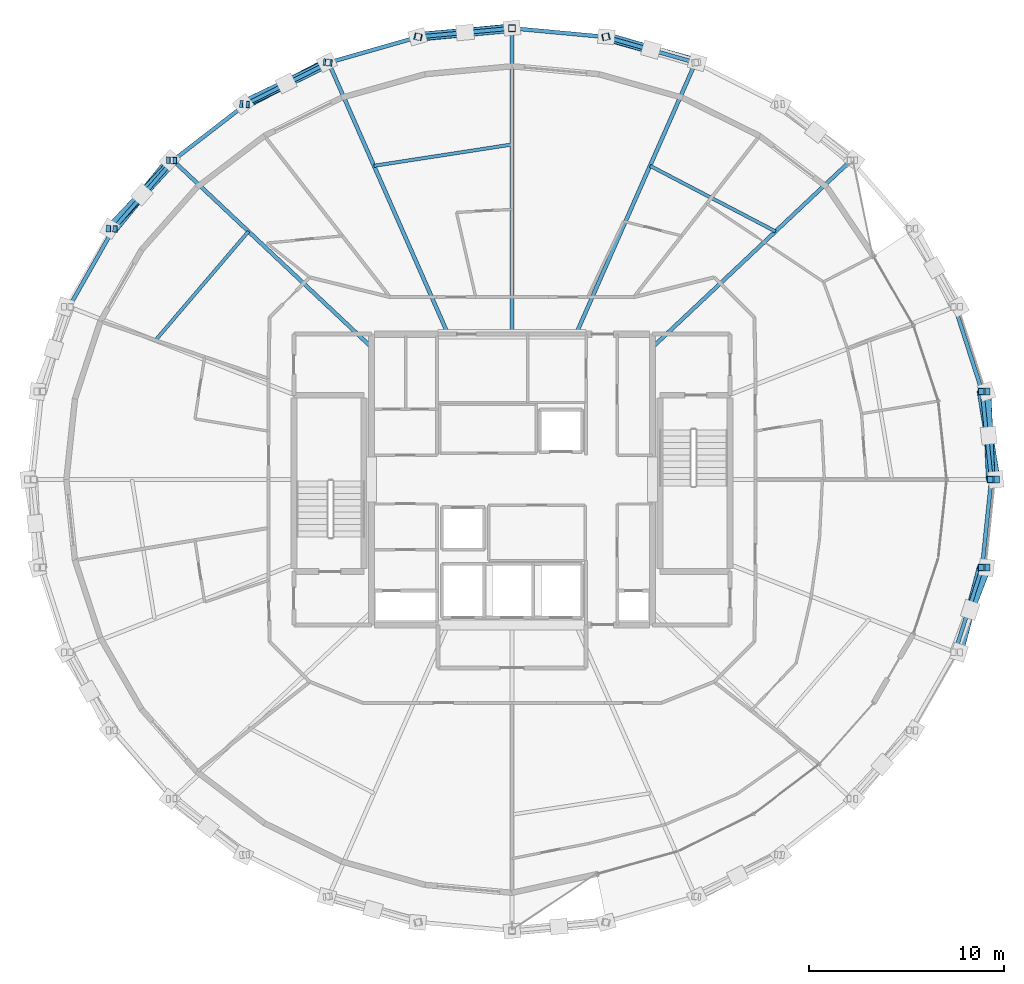
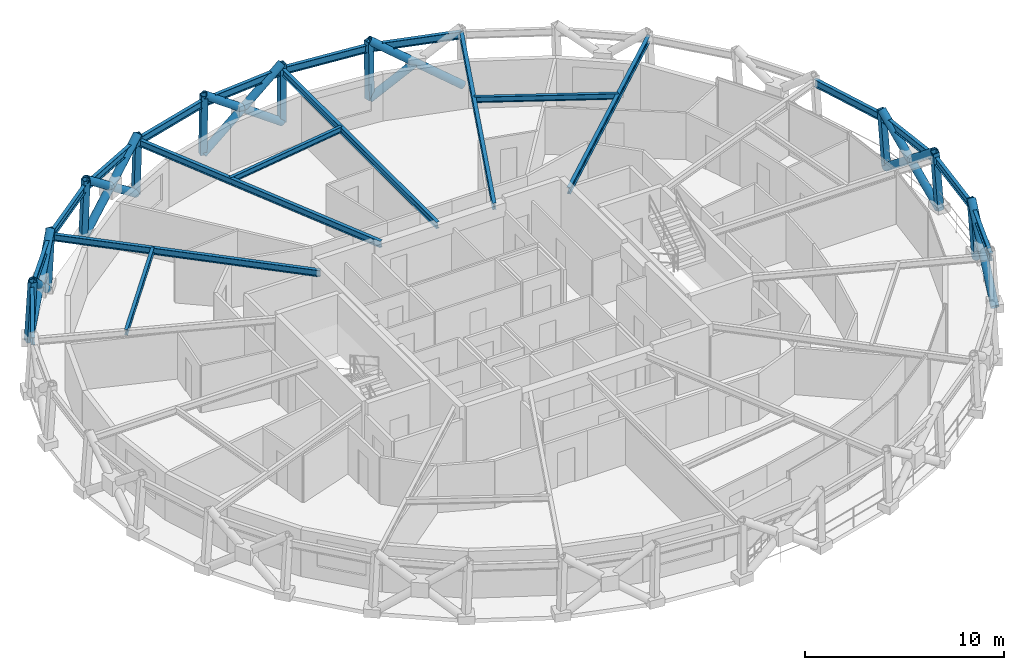
# One storey, part 9 of 17: 26 members, 20 beams.
"""IFC4 building model written with IfcOpenShell, lengths in metres."""

from ifc_helpers import new_model, si_unit, direction, frame, origin, origin_2d, place, context, subcontext, project, spatial, hollow_rectangle, hollow_circle, i_section, extrude, material, material_profile, profile_set, type_object, element, save


model = new_model("IFC4")

# Units and contexts
model_context = context("Model", 3, precision=1e-05, world=origin(), true_north=direction((0.0, 1.0)))
body_context = subcontext(model_context, "Body", "Model", "MODEL_VIEW")
ifc_project = project(units=[si_unit("LENGTHUNIT", "METRE"), si_unit("AREAUNIT", "SQUARE_METRE"), si_unit("VOLUMEUNIT", "CUBIC_METRE"), si_unit("PLANEANGLEUNIT", "RADIAN"), si_unit("MASSUNIT", "GRAM", prefix="KILO")], contexts=[model_context])

# Site, building, storey
site_placement = place(None, origin())
site = spatial("IfcSite", under=ifc_project, at=site_placement, CompositionType="ELEMENT")
building_placement = place(site_placement, origin())
building = spatial("IfcBuilding", under=site, at=building_placement, Name="Veldorina Hangang Commons", CompositionType="ELEMENT")
storey_placement = place(building_placement, frame((0.0, 0.0, 225.60009765625)))
storey = spatial("IfcBuildingStorey", under=building, at=storey_placement, Name="L58", CompositionType="ELEMENT", Elevation=225.60009765625)

# Beams
ifc_material = material(Name="Steel SM355-TMC", Category="steel")
ifc_material_profile_1 = material_profile(ifc_material, i_section(OverallWidth=0.199951171875, OverallDepth=0.39990234375, WebThickness=0.008056640625, FlangeThickness=0.012939453125, FilletRadius=0.012939453125, at=origin_2d()), Name="H-400x200x8x13")
ifc_profile_set_1 = profile_set([ifc_material_profile_1], Name="Steel SM355-TMC")
beam_type_1 = type_object("IfcBeamType", Name="BM-FG400", PredefinedType="BEAM", material=ifc_profile_set_1)
beam_1_placement = place(storey_placement, frame((39.199951171875, 30.779052734375, 3.159912109375), z_axis=(0.728077889465, 0.685494410533, 0.0), x_axis=(-0.685494410533, 0.728077889465, 0.0)))
element("IfcBeam", 1, at=beam_1_placement, inside=storey, type_object=beam_type_1, Name="L58 radial floor girder 03", PredefinedType="BEAM", context=body_context, shape_type="SweptSolid", body=[
    extrude(i_section(OverallWidth=0.199951171875, OverallDepth=0.39990234375, WebThickness=0.008056640625, FlangeThickness=0.012939453125, FilletRadius=0.012939453125, at=origin_2d()), origin(), (0.0, 0.0, 1.0), 13.971923828125),
])
beam_2_placement = place(storey_placement, frame((35.277587890625, 31.449951171875, 3.159912109375), z_axis=(0.402695039445, 0.915334204106, 0.0), x_axis=(-0.915334204106, 0.402695039445, 0.0)))
element("IfcBeam", 2, at=beam_2_placement, inside=storey, type_object=beam_type_1, Name="L58 radial floor girder 04", PredefinedType="BEAM", context=body_context, shape_type="SweptSolid", body=[
    extrude(i_section(OverallWidth=0.199951171875, OverallDepth=0.39990234375, WebThickness=0.008056640625, FlangeThickness=0.012939453125, FilletRadius=0.012939453125, at=origin_2d()), origin(), (0.0, 0.0, 1.0), 15.208740234375),
])
beam_3_placement = place(storey_placement, frame((32.0, 31.449951171875, 3.159912109375), z_axis=(0.0, 1.0, 0.0), x_axis=(-1.0, 0.0, 0.0)))
element("IfcBeam", 3, at=beam_3_placement, inside=storey, type_object=beam_type_1, Name="L58 radial floor girder 05", PredefinedType="BEAM", context=body_context, shape_type="SweptSolid", body=[
    extrude(i_section(OverallWidth=0.199951171875, OverallDepth=0.39990234375, WebThickness=0.008056640625, FlangeThickness=0.012939453125, FilletRadius=0.012939453125, at=origin_2d()), origin(), (0.0, 0.0, 1.0), 15.681884765625),
])
beam_4_placement = place(storey_placement, frame((28.722412109375, 31.449951171875, 3.159912109375), z_axis=(-0.402695039445, 0.915334204106, 0.0), x_axis=(-0.915334204106, -0.402695039445, 0.0)))
element("IfcBeam", 4, at=beam_4_placement, inside=storey, type_object=beam_type_1, Name="L58 radial floor girder 06", PredefinedType="BEAM", context=body_context, shape_type="SweptSolid", body=[
    extrude(i_section(OverallWidth=0.199951171875, OverallDepth=0.39990234375, WebThickness=0.008056640625, FlangeThickness=0.012939453125, FilletRadius=0.012939453125, at=origin_2d()), origin(), (0.0, 0.0, 1.0), 15.208740234375),
])
beam_5_placement = place(storey_placement, frame((24.800048828125, 30.779052734375, 3.159912109375), z_axis=(-0.728077889465, 0.685494410533, 0.0), x_axis=(-0.685494410533, -0.728077889465, 0.0)))
element("IfcBeam", 5, at=beam_5_placement, inside=storey, type_object=beam_type_1, Name="L58 radial floor girder 07", PredefinedType="BEAM", context=body_context, shape_type="SweptSolid", body=[
    extrude(i_section(OverallWidth=0.199951171875, OverallDepth=0.39990234375, WebThickness=0.008056640625, FlangeThickness=0.012939453125, FilletRadius=0.012939453125, at=origin_2d()), origin(), (0.0, 0.0, 1.0), 13.971923828125),
])
ifc_material_profile_2 = material_profile(ifc_material, i_section(OverallWidth=0.175048828125, OverallDepth=0.35009765625, WebThickness=0.007080078125, FlangeThickness=0.010986328125, FilletRadius=0.012939453125, at=origin_2d()), Name="H-350x175x7x11")
ifc_profile_set_2 = profile_set([ifc_material_profile_2], Name="Steel SM355-TMC")
beam_type_2 = type_object("IfcBeamType", Name="BM-JST350", PredefinedType="JOIST", material=ifc_profile_set_2)
beam_6_placement = place(storey_placement, frame((45.507080078125, 36.71728515625, 3.184814453125), z_axis=(-0.886146661473, 0.463404892465, 0.0), x_axis=(-0.463404892465, -0.886146661473, 0.0)))
element("IfcBeam", 6, at=beam_6_placement, inside=storey, type_object=beam_type_2, Name="L58 secondary floor joist 03", PredefinedType="JOIST", context=body_context, shape_type="SweptSolid", body=[
    extrude(i_section(OverallWidth=0.175048828125, OverallDepth=0.35009765625, WebThickness=0.007080078125, FlangeThickness=0.010986328125, FilletRadius=0.012939453125, at=origin_2d()), origin(), (0.0, 0.0, 1.0), 7.2587890625),
])
beam_7_placement = place(storey_placement, frame((32.0, 41.1728515625, 3.184814453125), z_axis=(-0.988300619629, -0.152518475084, 0.0), x_axis=(0.152518475084, -0.988300619629, 0.0)))
element("IfcBeam", 7, at=beam_7_placement, inside=storey, type_object=beam_type_2, Name="L58 secondary floor joist 05", PredefinedType="JOIST", context=body_context, shape_type="SweptSolid", body=[
    extrude(i_section(OverallWidth=0.175048828125, OverallDepth=0.35009765625, WebThickness=0.007080078125, FlangeThickness=0.010986328125, FilletRadius=0.012939453125, at=origin_2d()), origin(), (0.0, 0.0, 1.0), 7.158447265625),
])
beam_8_placement = place(storey_placement, frame((18.4931640625, 36.71728515625, 3.184814453125), z_axis=(-0.649707474546, -0.760184318122, 0.0), x_axis=(0.760184318122, -0.649707474546, 0.0)))
element("IfcBeam", 8, at=beam_8_placement, inside=storey, type_object=beam_type_2, Name="L58 secondary floor joist 07", PredefinedType="JOIST", context=body_context, shape_type="SweptSolid", body=[
    extrude(i_section(OverallWidth=0.175048828125, OverallDepth=0.35009765625, WebThickness=0.007080078125, FlangeThickness=0.010986328125, FilletRadius=0.012939453125, at=origin_2d()), origin(), (0.0, 0.0, 1.0), 7.35009765625),
])
ifc_material_profile_3 = material_profile(ifc_material, i_section(OverallWidth=0.199951171875, OverallDepth=0.449951171875, WebThickness=0.009033203125, FlangeThickness=0.013916015625, FilletRadius=0.01611328125, at=origin_2d()), Name="H-450x200x9x14")
ifc_profile_set_3 = profile_set([ifc_material_profile_3], Name="Steel SM355-TMC")
beam_type_3 = type_object("IfcBeamType", Name="BM-RB450", PredefinedType="BEAM", material=ifc_profile_set_3)
beam_9_placement = place(storey_placement, frame((56.568359375, 24.0, 3.135009765625), z_axis=(-0.104009735312, 0.994576279106, 0.0), x_axis=(-0.994576279106, -0.104009735312, 0.0)))
element("IfcBeam", 9, at=beam_9_placement, inside=storey, type_object=beam_type_3, Name="L58 perimeter hoop ring beam 00", PredefinedType="BEAM", context=body_context, shape_type="SweptSolid", body=[
    extrude(i_section(OverallWidth=0.199951171875, OverallDepth=0.449951171875, WebThickness=0.009033203125, FlangeThickness=0.013916015625, FilletRadius=0.01611328125, at=origin_2d()), origin(), (0.0, 0.0, 1.0), 4.537353515625),
])
beam_10_placement = place(storey_placement, frame((56.096435546875, 28.5126953125, 3.135009765625), z_axis=(-0.306669511736, 0.951816059211, 0.0), x_axis=(-0.951816059211, -0.306669511736, 0.0)))
element("IfcBeam", 10, at=beam_10_placement, inside=storey, type_object=beam_type_3, Name="L58 perimeter hoop ring beam 01", PredefinedType="BEAM", context=body_context, shape_type="SweptSolid", body=[
    extrude(i_section(OverallWidth=0.199951171875, OverallDepth=0.449951171875, WebThickness=0.009033203125, FlangeThickness=0.013916015625, FilletRadius=0.01611328125, at=origin_2d()), origin(), (0.0, 0.0, 1.0), 4.559326171875),
])
beam_11_placement = place(storey_placement, frame((41.402099609375, 45.37109375, 3.135009765625), z_axis=(-0.961550850658, 0.274626949878, 0.0), x_axis=(-0.274626949878, -0.961550850658, 0.0)))
element("IfcBeam", 11, at=beam_11_placement, inside=storey, type_object=beam_type_3, Name="L58 perimeter hoop ring beam 06", PredefinedType="BEAM", context=body_context, shape_type="SweptSolid", body=[
    extrude(i_section(OverallWidth=0.199951171875, OverallDepth=0.449951171875, WebThickness=0.009033203125, FlangeThickness=0.013916015625, FilletRadius=0.01611328125, at=origin_2d()), origin(), (0.0, 0.0, 1.0), 4.79345703125),
])
for number, where, z_axis, x_axis, name in (
    (12, (36.79296875, 46.6875, 3.135009765625), (-0.995730320333, 0.09230996246, 0.0), (-0.09230996246, -0.995730320333, 0.0), "L58 perimeter hoop ring beam 07"),
    (13, (32.0, 47.1318359375, 3.135009765625), (-0.995730320333, -0.09230996246, 0.0), (0.09230996246, -0.995730320333, 0.0), "L58 perimeter hoop ring beam 08"),
):
    element("IfcBeam", number, at=place(storey_placement, frame(where, z_axis=z_axis, x_axis=x_axis)), inside=storey, type_object=beam_type_3, Name=name, PredefinedType="BEAM", context=body_context, shape_type="SweptSolid", body=[
        extrude(i_section(OverallWidth=0.199951171875, OverallDepth=0.449951171875, WebThickness=0.009033203125, FlangeThickness=0.013916015625, FilletRadius=0.01611328125, at=origin_2d()), origin(), (0.0, 0.0, 1.0), 4.8134765625),
    ])
beam_12_placement = place(storey_placement, frame((27.20703125, 46.6875, 3.135009765625), z_axis=(-0.961550850658, -0.274626949878, 0.0), x_axis=(0.274626949878, -0.961550850658, 0.0)))
element("IfcBeam", 14, at=beam_12_placement, inside=storey, type_object=beam_type_3, Name="L58 perimeter hoop ring beam 09", PredefinedType="BEAM", context=body_context, shape_type="SweptSolid", body=[
    extrude(i_section(OverallWidth=0.199951171875, OverallDepth=0.449951171875, WebThickness=0.009033203125, FlangeThickness=0.013916015625, FilletRadius=0.01611328125, at=origin_2d()), origin(), (0.0, 0.0, 1.0), 4.79345703125),
])
beam_13_placement = place(storey_placement, frame((22.597900390625, 45.37109375, 3.135009765625), z_axis=(-0.893243145292, -0.449573890911, 0.0), x_axis=(0.449573890911, -0.893243145292, 0.0)))
element("IfcBeam", 15, at=beam_13_placement, inside=storey, type_object=beam_type_3, Name="L58 perimeter hoop ring beam 10", PredefinedType="BEAM", context=body_context, shape_type="SweptSolid", body=[
    extrude(i_section(OverallWidth=0.199951171875, OverallDepth=0.449951171875, WebThickness=0.009033203125, FlangeThickness=0.013916015625, FilletRadius=0.01611328125, at=origin_2d()), origin(), (0.0, 0.0, 1.0), 4.7548828125),
])
beam_14_placement = place(storey_placement, frame((18.3505859375, 43.2333984375, 3.135009765625), z_axis=(-0.791312388502, -0.611412057293, 0.0), x_axis=(0.611412057293, -0.791312388502, 0.0)))
element("IfcBeam", 16, at=beam_14_placement, inside=storey, type_object=beam_type_3, Name="L58 perimeter hoop ring beam 11", PredefinedType="BEAM", context=body_context, shape_type="SweptSolid", body=[
    extrude(i_section(OverallWidth=0.199951171875, OverallDepth=0.449951171875, WebThickness=0.009033203125, FlangeThickness=0.013916015625, FilletRadius=0.01611328125, at=origin_2d()), origin(), (0.0, 0.0, 1.0), 4.705078125),
])
beam_15_placement = place(storey_placement, frame((14.62744140625, 40.356689453125, 3.135009765625), z_axis=(-0.657068652879, -0.753830740554, 0.0), x_axis=(0.753830740554, -0.657068652879, 0.0)))
element("IfcBeam", 17, at=beam_15_placement, inside=storey, type_object=beam_type_3, Name="L58 perimeter hoop ring beam 12", PredefinedType="BEAM", context=body_context, shape_type="SweptSolid", body=[
    extrude(i_section(OverallWidth=0.199951171875, OverallDepth=0.449951171875, WebThickness=0.009033203125, FlangeThickness=0.013916015625, FilletRadius=0.01611328125, at=origin_2d()), origin(), (0.0, 0.0, 1.0), 4.650146484375),
])
beam_16_placement = place(storey_placement, frame((11.572021484375, 36.851318359375, 3.135009765625), z_axis=(-0.493695595954, -0.869634784571, 0.0), x_axis=(0.869634784571, -0.493695595954, 0.0)))
element("IfcBeam", 18, at=beam_16_placement, inside=storey, type_object=beam_type_3, Name="L58 perimeter hoop ring beam 13", PredefinedType="BEAM", context=body_context, shape_type="SweptSolid", body=[
    extrude(i_section(OverallWidth=0.199951171875, OverallDepth=0.449951171875, WebThickness=0.009033203125, FlangeThickness=0.013916015625, FilletRadius=0.01611328125, at=origin_2d()), origin(), (0.0, 0.0, 1.0), 4.598388671875),
])
beam_17_placement = place(storey_placement, frame((54.6982421875, 15.147705078125, 3.135009765625), z_axis=(0.306669511736, 0.951816059211, 0.0), x_axis=(-0.951816059211, 0.306669511736, 0.0)))
element("IfcBeam", 19, at=beam_17_placement, inside=storey, type_object=beam_type_3, Name="L58 perimeter hoop ring beam 30", PredefinedType="BEAM", context=body_context, shape_type="SweptSolid", body=[
    extrude(i_section(OverallWidth=0.199951171875, OverallDepth=0.449951171875, WebThickness=0.009033203125, FlangeThickness=0.013916015625, FilletRadius=0.01611328125, at=origin_2d()), origin(), (0.0, 0.0, 1.0), 4.559326171875),
])
beam_18_placement = place(storey_placement, frame((56.096435546875, 19.4873046875, 3.135009765625), z_axis=(0.104009735312, 0.994576279106, 0.0), x_axis=(-0.994576279106, 0.104009735312, 0.0)))
element("IfcBeam", 20, at=beam_18_placement, inside=storey, type_object=beam_type_3, Name="L58 perimeter hoop ring beam 31", PredefinedType="BEAM", context=body_context, shape_type="SweptSolid", body=[
    extrude(i_section(OverallWidth=0.199951171875, OverallDepth=0.449951171875, WebThickness=0.009033203125, FlangeThickness=0.013916015625, FilletRadius=0.01611328125, at=origin_2d()), origin(), (0.0, 0.0, 1.0), 4.537353515625),
])

# Members
ifc_material_profile_4 = material_profile(ifc_material, hollow_circle(Radius=0.22509765625, WallThickness=0.02197265625, at=origin_2d()), Name="CHS-450x22")
ifc_profile_set_4 = profile_set([ifc_material_profile_4], Name="Steel SM355-TMC")
member_type_1 = type_object("IfcMemberType", Name="DG-CHS450", PredefinedType="BRACE", material=ifc_profile_set_4)
member_1_placement = place(storey_placement, frame((56.800537109375, 24.0, 0.0), z_axis=(-0.126822744381, 0.775410117235, 0.618591255675), x_axis=(-0.986887266591, -0.161411037543, 0.0)))
element("IfcMember", 21, at=member_1_placement, inside=storey, type_object=member_type_1, Name="L58 continuous perimeter diagrid brace 00", PredefinedType="BRACE", context=body_context, shape_type="SweptSolid", body=[
    extrude(hollow_circle(Radius=0.22509765625, WallThickness=0.02197265625, at=origin_2d()), origin(), (0.0, 0.0, 1.0), 5.8193359375),
])
member_2_placement = place(storey_placement, frame((56.32421875, 28.514892578125, 0.0), z_axis=(0.03708785668, -0.781294985362, 0.623059095701), x_axis=(0.998875213258, 0.047416329868, 0.0)))
element("IfcMember", 22, at=member_2_placement, inside=storey, type_object=member_type_1, Name="L58 split perimeter diagrid lower brace 01", PredefinedType="BRACE", context=body_context, shape_type="SweptSolid", body=[
    extrude(hollow_circle(Radius=0.22509765625, WallThickness=0.02197265625, at=origin_2d()), origin(), (0.0, 0.0, 1.0), 2.889892578125),
])
member_3_placement = place(storey_placement, frame((56.431396484375, 26.257080078125, 1.800537109375), z_axis=(0.035501129017, -0.781447470865, 0.622960287753), x_axis=(0.99896965388, 0.045383153556, 0.0)))
element("IfcMember", 23, at=member_3_placement, inside=storey, type_object=member_type_1, Name="L58 split perimeter diagrid upper brace 01", PredefinedType="BRACE", context=body_context, shape_type="SweptSolid", body=[
    extrude(hollow_circle(Radius=0.22509765625, WallThickness=0.02197265625, at=origin_2d()), origin(), (0.0, 0.0, 1.0), 2.888427734375),
])
member_4_placement = place(storey_placement, frame((41.49072265625, 45.380859375, 0.0), z_axis=(-0.775565769493, 0.215133065439, 0.593477464901), x_axis=(-0.267295649308, -0.963614568103, 0.0)))
element("IfcMember", 24, at=member_4_placement, inside=storey, type_object=member_type_1, Name="L58 continuous perimeter diagrid brace 06", PredefinedType="BRACE", context=body_context, shape_type="SweptSolid", body=[
    extrude(hollow_circle(Radius=0.22509765625, WallThickness=0.02197265625, at=origin_2d()), origin(), (0.0, 0.0, 1.0), 6.065673828125),
])
member_5_placement = place(storey_placement, frame((36.83837890625, 46.69775390625, 0.0), z_axis=(0.765099077266, -0.221048575828, 0.604781720203), x_axis=(0.277562777708, 0.960707502017, 0.0)))
element("IfcMember", 25, at=member_5_placement, inside=storey, type_object=member_type_1, Name="L58 split perimeter diagrid lower brace 07", PredefinedType="BRACE", context=body_context, shape_type="SweptSolid", body=[
    extrude(hollow_circle(Radius=0.22509765625, WallThickness=0.02197265625, at=origin_2d()), origin(), (0.0, 0.0, 1.0), 2.990966796875),
])
member_6_placement = place(storey_placement, frame((32.0, 47.142333984375, 0.0), z_axis=(-0.796880147915, -0.076009481081, 0.599336790666), x_axis=(0.094952864528, -0.995481769556, 0.0)))
element("IfcMember", 26, at=member_6_placement, inside=storey, type_object=member_type_1, Name="L58 continuous perimeter diagrid brace 08", PredefinedType="BRACE", context=body_context, shape_type="SweptSolid", body=[
    extrude(hollow_circle(Radius=0.22509765625, WallThickness=0.02197265625, at=origin_2d()), origin(), (0.0, 0.0, 1.0), 6.00634765625),
])
member_7_placement = place(storey_placement, frame((27.16162109375, 46.69775390625, 0.0), z_axis=(0.80031125379, 0.07076926775, 0.595393657843), x_axis=(-0.088083472687, 0.996113096912, 0.0)))
element("IfcMember", 27, at=member_7_placement, inside=storey, type_object=member_type_1, Name="L58 split perimeter diagrid lower brace 09", PredefinedType="BRACE", context=body_context, shape_type="SweptSolid", body=[
    extrude(hollow_circle(Radius=0.22509765625, WallThickness=0.02197265625, at=origin_2d()), origin(), (0.0, 0.0, 1.0), 3.039306640625),
])
member_8_placement = place(storey_placement, frame((29.593994140625, 46.912841796875, 1.8095703125), z_axis=(0.800168239914, 0.072343977855, 0.595396621338), x_axis=(-0.090043692954, 0.99593781601, 0.0)))
element("IfcMember", 28, at=member_8_placement, inside=storey, type_object=member_type_1, Name="L58 split perimeter diagrid upper brace 09", PredefinedType="BRACE", context=body_context, shape_type="SweptSolid", body=[
    extrude(hollow_circle(Radius=0.22509765625, WallThickness=0.02197265625, at=origin_2d()), origin(), (0.0, 0.0, 1.0), 3.0068359375),
])
member_9_placement = place(storey_placement, frame((22.50927734375, 45.380859375, 0.0), z_axis=(-0.702620340153, -0.36469459859, 0.61100123352), x_axis=(0.460688405917, -0.887561937362, 0.0)))
element("IfcMember", 29, at=member_9_placement, inside=storey, type_object=member_type_1, Name="L58 continuous perimeter diagrid brace 10", PredefinedType="BRACE", context=body_context, shape_type="SweptSolid", body=[
    extrude(hollow_circle(Radius=0.22509765625, WallThickness=0.02197265625, at=origin_2d()), origin(), (0.0, 0.0, 1.0), 5.891845703125),
])
member_10_placement = place(storey_placement, frame((18.221435546875, 43.2421875, 0.0), z_axis=(0.725499684898, 0.34799609112, 0.593758307545), x_axis=(-0.432484839898, 0.901641205391, 0.0)))
element("IfcMember", 30, at=member_10_placement, inside=storey, type_object=member_type_1, Name="L58 split perimeter diagrid lower brace 11", PredefinedType="BRACE", context=body_context, shape_type="SweptSolid", body=[
    extrude(hollow_circle(Radius=0.22509765625, WallThickness=0.02197265625, at=origin_2d()), origin(), (0.0, 0.0, 1.0), 3.044677734375),
])
member_11_placement = place(storey_placement, frame((20.430419921875, 44.3017578125, 1.807861328125), z_axis=(0.722609969916, 0.353862069908, 0.59381517904), x_axis=(-0.439797938508, 0.898096750514, 0.0)))
element("IfcMember", 31, at=member_11_placement, inside=storey, type_object=member_type_1, Name="L58 split perimeter diagrid upper brace 11", PredefinedType="BRACE", context=body_context, shape_type="SweptSolid", body=[
    extrude(hollow_circle(Radius=0.22509765625, WallThickness=0.02197265625, at=origin_2d()), origin(), (0.0, 0.0, 1.0), 3.017822265625),
])
member_12_placement = place(storey_placement, frame((14.46337890625, 40.364013671875, 0.0), z_axis=(-0.494624863418, -0.607039605104, 0.621971994806), x_axis=(0.775234985517, -0.631672951162, 0.0)))
element("IfcMember", 32, at=member_12_placement, inside=storey, type_object=member_type_1, Name="L58 continuous perimeter diagrid brace 12", PredefinedType="BRACE", context=body_context, shape_type="SweptSolid", body=[
    extrude(hollow_circle(Radius=0.22509765625, WallThickness=0.02197265625, at=origin_2d()), origin(), (0.0, 0.0, 1.0), 5.787841796875),
])
member_13_placement = place(storey_placement, frame((11.379150390625, 36.857177734375, 0.0), z_axis=(0.549024790599, 0.581129126985, 0.60071683602), x_axis=(-0.726900366588, 0.686742933749, 0.0)))
element("IfcMember", 33, at=member_13_placement, inside=storey, type_object=member_type_1, Name="L58 split perimeter diagrid lower brace 13", PredefinedType="BRACE", context=body_context, shape_type="SweptSolid", body=[
    extrude(hollow_circle(Radius=0.22509765625, WallThickness=0.02197265625, at=origin_2d()), origin(), (0.0, 0.0, 1.0), 3.00390625),
])
member_14_placement = place(storey_placement, frame((13.0283203125, 38.602783203125, 1.804443359375), z_axis=(0.543230648325, 0.586525722552, 0.60073957711), x_axis=(-0.733666333544, 0.679509905023, 0.0)))
element("IfcMember", 34, at=member_14_placement, inside=storey, type_object=member_type_1, Name="L58 split perimeter diagrid upper brace 13", PredefinedType="BRACE", context=body_context, shape_type="SweptSolid", body=[
    extrude(hollow_circle(Radius=0.22509765625, WallThickness=0.02197265625, at=origin_2d()), origin(), (0.0, 0.0, 1.0), 2.98876953125),
])
member_15_placement = place(storey_placement, frame((54.912841796875, 15.143798828125, 0.0), z_axis=(0.19968005316, 0.754450521516, 0.625245781236), x_axis=(-0.966713924288, 0.255859704894, 0.0)))
element("IfcMember", 35, at=member_15_placement, inside=storey, type_object=member_type_1, Name="L58 continuous perimeter diagrid brace 30", PredefinedType="BRACE", context=body_context, shape_type="SweptSolid", body=[
    extrude(hollow_circle(Radius=0.22509765625, WallThickness=0.02197265625, at=origin_2d()), origin(), (0.0, 0.0, 1.0), 5.757568359375),
])
member_16_placement = place(storey_placement, frame((56.32421875, 19.485107421875, 0.0), z_axis=(-0.284428659812, -0.737355349042, 0.61270500791), x_axis=(0.932993089777, -0.359894282294, 0.0)))
element("IfcMember", 36, at=member_16_placement, inside=storey, type_object=member_type_1, Name="L58 split perimeter diagrid lower brace 31", PredefinedType="BRACE", context=body_context, shape_type="SweptSolid", body=[
    extrude(hollow_circle(Radius=0.22509765625, WallThickness=0.02197265625, at=origin_2d()), origin(), (0.0, 0.0, 1.0), 2.93994140625),
])
ifc_material_profile_5 = material_profile(ifc_material, hollow_rectangle(XDim=0.35009765625, YDim=0.35009765625, WallThickness=0.01611328125, at=origin_2d()), Name="SHS-350x350x16")
ifc_profile_set_5 = profile_set([ifc_material_profile_5], Name="Steel SM355-TMC")
member_type_2 = type_object("IfcMemberType", Name="STR-SHS350", PredefinedType="STRUT", material=ifc_profile_set_5)
member_17_placement = place(storey_placement, frame((56.800537109375, 24.0, 0.0), z_axis=(-0.073856737664, 0.0, 0.997268861592), x_axis=(0.0, -1.0, 0.0)))
element("IfcMember", 37, at=member_17_placement, inside=storey, type_object=member_type_2, Name="L58 perimeter ring node post 00", PredefinedType="STRUT", context=body_context, shape_type="SweptSolid", body=[
    extrude(hollow_rectangle(XDim=0.35009765625, YDim=0.35009765625, WallThickness=0.01611328125, at=origin_2d()), origin(), (0.0, 0.0, 1.0), 3.609619140625),
])
member_18_placement = place(storey_placement, frame((56.32421875, 28.514892578125, 0.0), z_axis=(-0.07251121183, -0.000676410558, 0.997367367938), x_axis=(0.009327952367, -0.999956493706, 0.0)))
element("IfcMember", 38, at=member_18_placement, inside=storey, type_object=member_type_2, Name="L58 perimeter ring node post 01", PredefinedType="STRUT", context=body_context, shape_type="SweptSolid", body=[
    extrude(hollow_rectangle(XDim=0.35009765625, YDim=0.35009765625, WallThickness=0.01611328125, at=origin_2d()), origin(), (0.0, 0.0, 1.0), 3.609375),
])
member_19_placement = place(storey_placement, frame((36.83837890625, 46.69775390625, 0.0), z_axis=(-0.014443988056, -0.003322795374, 0.999890159087), x_axis=(0.224191147248, -0.9745451911, 0.0)))
element("IfcMember", 39, at=member_19_placement, inside=storey, type_object=member_type_2, Name="L58 perimeter ring node post 07", PredefinedType="STRUT", context=body_context, shape_type="SweptSolid", body=[
    extrude(hollow_rectangle(XDim=0.35009765625, YDim=0.35009765625, WallThickness=0.01611328125, at=origin_2d()), origin(), (0.0, 0.0, 1.0), 3.600341796875),
])
member_20_placement = place(storey_placement, frame((32.0, 47.142333984375, 0.0), z_axis=(0.0, -0.003323142044, 0.999994478348), x_axis=(1.0, 0.0, 0.0)))
element("IfcMember", 40, at=member_20_placement, inside=storey, type_object=member_type_2, Name="L58 perimeter ring node post 08", PredefinedType="STRUT", context=body_context, shape_type="SweptSolid", body=[
    extrude(hollow_rectangle(XDim=0.35009765625, YDim=0.35009765625, WallThickness=0.01611328125, at=origin_2d()), origin(), (0.0, 0.0, 1.0), 3.599853515625),
])
member_21_placement = place(storey_placement, frame((27.16162109375, 46.69775390625, 0.0), z_axis=(0.014443988056, -0.003322795374, 0.999890159087), x_axis=(0.224191147248, 0.9745451911, 0.0)))
element("IfcMember", 41, at=member_21_placement, inside=storey, type_object=member_type_2, Name="L58 perimeter ring node post 09", PredefinedType="STRUT", context=body_context, shape_type="SweptSolid", body=[
    extrude(hollow_rectangle(XDim=0.35009765625, YDim=0.35009765625, WallThickness=0.01611328125, at=origin_2d()), origin(), (0.0, 0.0, 1.0), 3.600341796875),
])
member_22_placement = place(storey_placement, frame((22.50927734375, 45.380859375, 0.0), z_axis=(0.028269332956, -0.003118439607, 0.999595478255), x_axis=(0.109646640294, 0.993970630488, 0.0)))
element("IfcMember", 42, at=member_22_placement, inside=storey, type_object=member_type_2, Name="L58 perimeter ring node post 10", PredefinedType="STRUT", context=body_context, shape_type="SweptSolid", body=[
    extrude(hollow_rectangle(XDim=0.35009765625, YDim=0.35009765625, WallThickness=0.01611328125, at=origin_2d()), origin(), (0.0, 0.0, 1.0), 3.601318359375),
])
member_23_placement = place(storey_placement, frame((18.221435546875, 43.2421875, 0.0), z_axis=(0.041131500621, -0.002778239745, 0.999149879168), x_axis=(0.067391746744, 0.997726592044, 0.0)))
element("IfcMember", 43, at=member_23_placement, inside=storey, type_object=member_type_2, Name="L58 perimeter ring node post 11", PredefinedType="STRUT", context=body_context, shape_type="SweptSolid", body=[
    extrude(hollow_rectangle(XDim=0.35009765625, YDim=0.35009765625, WallThickness=0.01611328125, at=origin_2d()), origin(), (0.0, 0.0, 1.0), 3.60302734375),
])
member_24_placement = place(storey_placement, frame((14.46337890625, 40.364013671875, 0.0), z_axis=(0.052284978824, -0.002302706321, 0.9986295502), x_axis=(0.043998800326, 0.99903158387, 0.0)))
element("IfcMember", 44, at=member_24_placement, inside=storey, type_object=member_type_2, Name="L58 perimeter ring node post 12", PredefinedType="STRUT", context=body_context, shape_type="SweptSolid", body=[
    extrude(hollow_rectangle(XDim=0.35009765625, YDim=0.35009765625, WallThickness=0.01611328125, at=origin_2d()), origin(), (0.0, 0.0, 1.0), 3.604736328125),
])
member_25_placement = place(storey_placement, frame((11.379150390625, 36.857177734375, 0.0), z_axis=(0.061396229325, -0.001827671656, 0.998111798668), x_axis=(0.029755286398, 0.999557213436, 0.0)))
element("IfcMember", 45, at=member_25_placement, inside=storey, type_object=member_type_2, Name="L58 perimeter ring node post 13", PredefinedType="STRUT", context=body_context, shape_type="SweptSolid", body=[
    extrude(hollow_rectangle(XDim=0.35009765625, YDim=0.35009765625, WallThickness=0.01611328125, at=origin_2d()), origin(), (0.0, 0.0, 1.0), 3.606689453125),
])
member_26_placement = place(storey_placement, frame((56.32421875, 19.485107421875, 0.0), z_axis=(-0.07251121183, 0.000676410558, 0.997367367938), x_axis=(-0.009327952367, -0.999956493706, 0.0)))
element("IfcMember", 46, at=member_26_placement, inside=storey, type_object=member_type_2, Name="L58 perimeter ring node post 31", PredefinedType="STRUT", context=body_context, shape_type="SweptSolid", body=[
    extrude(hollow_rectangle(XDim=0.35009765625, YDim=0.35009765625, WallThickness=0.01611328125, at=origin_2d()), origin(), (0.0, 0.0, 1.0), 3.609375),
])

save(model, "model.ifc")
